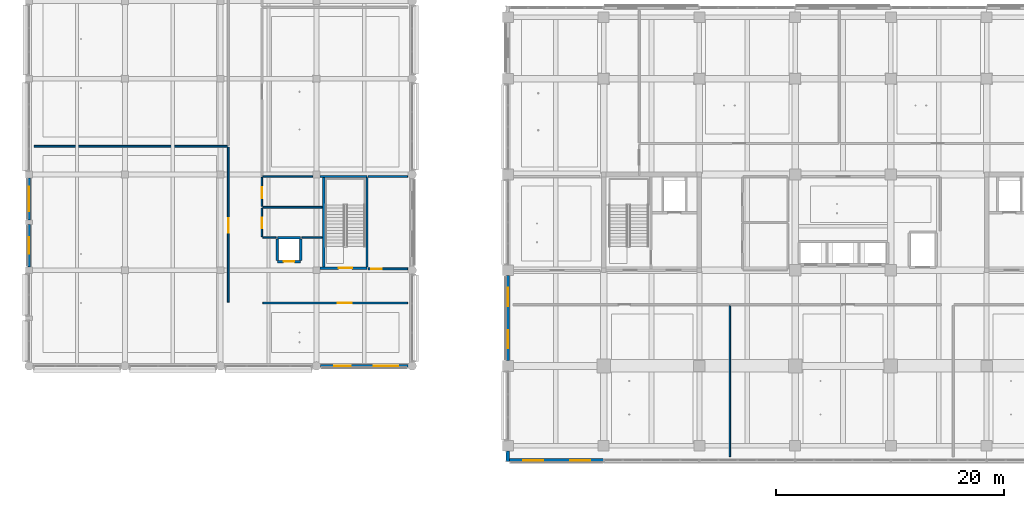
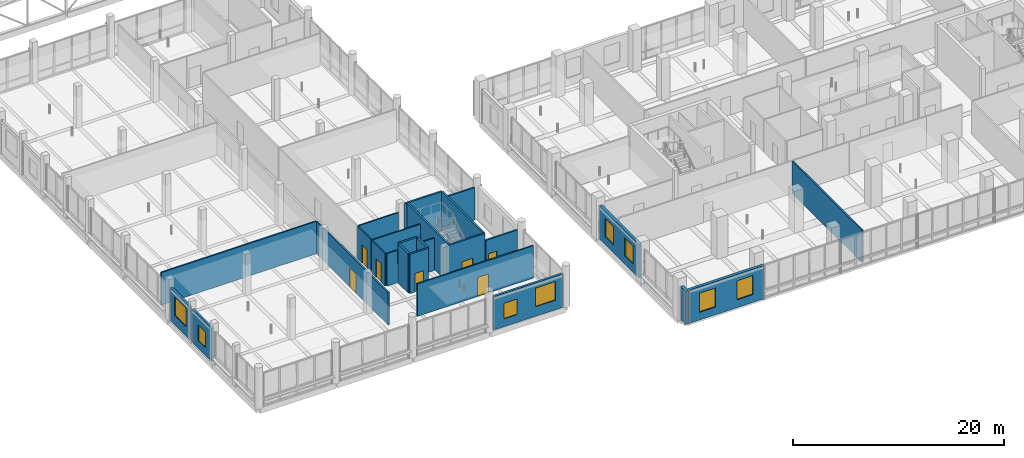
# One storey, part 53 of 122: 26 walls, 8 windows, 7 doors, 15 openings.
"""IFC4 building model written with IfcOpenShell, lengths in metres."""

from ifc_helpers import new_model, si_unit, direction, frame, frame_2d, origin, place, context, subcontext, project, spatial, rectangle, extrude, material, layer, layer_set, type_object, element, fill, save


model = new_model("IFC4")

# Units and contexts
model_context = context("Model", 3, precision=1e-05, world=origin(), true_north=direction((0.0, 1.0)))
body_context = subcontext(model_context, "Body", "Model", "MODEL_VIEW")
ifc_project = project(units=[si_unit("LENGTHUNIT", "METRE"), si_unit("AREAUNIT", "SQUARE_METRE"), si_unit("VOLUMEUNIT", "CUBIC_METRE"), si_unit("PLANEANGLEUNIT", "RADIAN"), si_unit("MASSUNIT", "GRAM", prefix="KILO")], contexts=[model_context])

# Site, building, storey
site_placement = place(None, origin())
site = spatial("IfcSite", under=ifc_project, at=site_placement, CompositionType="ELEMENT")
building_placement = place(site_placement, origin())
building = spatial("IfcBuilding", under=site, at=building_placement, Name="Telukmera Botanical Conservatory", CompositionType="ELEMENT")
storey_placement = place(building_placement, frame((0.0, 0.0, 10.199951171875)))
storey = spatial("IfcBuildingStorey", under=building, at=storey_placement, Name="L02", CompositionType="ELEMENT", Elevation=10.199951171875)

# Wall, openings, windows
ifc_material_1 = material(Name="Precast concrete C40/50", Category="concrete")
ifc_layer_1 = layer(ifc_material_1, 0.239990234375)
ifc_layer_set_1 = layer_set([ifc_layer_1], Name="Precast concrete C40/50")
wall_type_1 = type_object("IfcWallType", Name="Exterior Colonnade Recessed Precast Wall 240", PredefinedType="SOLIDWALL", material=ifc_layer_set_1)
wall_1_placement = place(storey_placement, frame((33.97705078125, 17.60009765625, 0.0), z_axis=(0.0, 0.0, 1.0), x_axis=(1.0, 0.0, 0.0)))
wall_1 = element("IfcWall", 1, at=wall_1_placement, inside=storey, type_object=wall_type_1, Name="Exterior Precast Wall EW05 V3:L02:S4", PredefinedType="SOLIDWALL", context=body_context, shape_type="SweptSolid", body=[
    extrude(rectangle(XDim=7.64599609375, YDim=0.239990234375, at=frame_2d((3.822998046875, 0.0))), origin(), (0.0, 0.0, 1.0), 3.85009765625),
])
opening_1_placement = place(wall_1_placement, frame((1.1865234375, 0.0, 0.89990234375)))
opening_1 = element("IfcOpeningElement", 2, at=opening_1_placement, cuts=wall_1, Name="Opening W09", PredefinedType="OPENING", context=body_context, shape_type="SweptSolid", body=[
    extrude(rectangle(XDim=1.449951171875, YDim=1.800048828125, at=frame_2d((0.72509765625, 0.89990234375))), frame((0.0, 0.1298828125, 0.0), z_axis=(0.0, -1.0, 0.0), x_axis=(1.0, 0.0, 0.0)), (0.0, 0.0, 1.0), 0.260009765625),
])
opening_2_placement = place(wall_1_placement, frame((4.659423828125, 0.0, 1.10009765625)))
opening_2 = element("IfcOpeningElement", 3, at=opening_2_placement, cuts=wall_1, Name="Opening W15", PredefinedType="OPENING", context=body_context, shape_type="SweptSolid", body=[
    extrude(rectangle(XDim=2.14990234375, YDim=2.14990234375, at=frame_2d((1.074951171875, 1.074951171875))), frame((0.0, 0.1298828125, 0.0), z_axis=(0.0, -1.0, 0.0), x_axis=(1.0, 0.0, 0.0)), (0.0, 0.0, 1.0), 0.260009765625),
])
ifc_material_2 = material(Name="Thermally broken anodised aluminium frame with low-E double glazing", Category="aluminium")
window_type_1 = type_object("IfcWindowType", Name="Double Horizontal Transom Studio Window 1450x1800", PartitioningType="DOUBLE_PANEL_HORIZONTAL", PredefinedType="WINDOW", material=ifc_material_2)
window_1_placement = place(opening_1_placement, origin())
window_1 = element("IfcWindow", 4, at=window_1_placement, inside=storey, type_object=window_type_1, Name="Facade Window W09 V3:L02:S4 1", OverallHeight=1.800048828125, OverallWidth=1.449951171875, PartitioningType="DOUBLE_PANEL_HORIZONTAL", PredefinedType="WINDOW", context=body_context, shape_type="SweptSolid", body=[
    extrude(rectangle(XDim=1.449951171875, YDim=1.800048828125, at=frame_2d((0.72509765625, 0.89990234375))), frame((0.0, 0.030029296875, 0.0), z_axis=(0.0, -1.0, 0.0), x_axis=(1.0, 0.0, 0.0)), (0.0, 0.0, 1.0), 0.06005859375),
])
fill(opening_1, window_1)
window_type_2 = type_object("IfcWindowType", Name="Triple Vertical Botanical Gallery Window 2150x2150", PartitioningType="TRIPLE_PANEL_VERTICAL", PredefinedType="WINDOW", material=ifc_material_2)
window_2_placement = place(opening_2_placement, origin())
window_2 = element("IfcWindow", 5, at=window_2_placement, inside=storey, type_object=window_type_2, Name="Facade Window W15 V3:L02:S4 2", OverallHeight=2.14990234375, OverallWidth=2.14990234375, PartitioningType="TRIPLE_PANEL_VERTICAL", PredefinedType="WINDOW", context=body_context, shape_type="SweptSolid", body=[
    extrude(rectangle(XDim=2.14990234375, YDim=2.14990234375, at=frame_2d((1.074951171875, 1.074951171875))), frame((0.0, 0.030029296875, 0.0), z_axis=(0.0, -1.0, 0.0), x_axis=(1.0, 0.0, 0.0)), (0.0, 0.0, 1.0), 0.06005859375),
])
fill(opening_2, window_2)

# Wall
ifc_material_3 = material(Name="Terracotta-faced precast concrete C40/50", Category="masonry")
ifc_layer_2 = layer(ifc_material_3, 0.300048828125)
ifc_layer_set_2 = layer_set([ifc_layer_2], Name="Terracotta-faced precast concrete C40/50")
wall_type_2 = type_object("IfcWallType", Name="Exterior Polychrome Terracotta Precast Wall 300", PredefinedType="SOLIDWALL", material=ifc_layer_set_2)
wall_2_placement = place(storey_placement, frame((50.39990234375, 9.199951171875, 0.0), z_axis=(0.0, 0.0, 1.0), x_axis=(0.0, 1.0, 0.0)))
element("IfcWall", 6, at=wall_2_placement, inside=storey, type_object=wall_type_2, Name="Exterior Precast Wall EW02 V4:L02:SWC", PredefinedType="SOLIDWALL", context=body_context, shape_type="SweptSolid", body=[
    extrude(rectangle(XDim=0.923095703125, YDim=0.300048828125, at=frame_2d((0.46142578125, 0.0))), origin(), (0.0, 0.0, 1.0), 3.85009765625),
])

# Wall, openings, windows
wall_3_placement = place(storey_placement, frame((50.552001953125, 9.320068359375, 0.0), z_axis=(0.0, 0.0, 1.0), x_axis=(1.0, 0.0, 0.0)))
wall_3 = element("IfcWall", 7, at=wall_3_placement, inside=storey, type_object=wall_type_2, Name="Exterior Precast Wall EW02 V4:L02:S1", PredefinedType="SOLIDWALL", context=body_context, shape_type="SweptSolid", body=[
    extrude(rectangle(XDim=8.24609375, YDim=0.300048828125, at=frame_2d((4.123046875, 0.0))), origin(), (0.0, 0.0, 1.0), 3.85009765625),
])
opening_3_placement = place(wall_3_placement, frame((1.1865234375, 0.0, 0.89990234375)))
opening_3 = element("IfcOpeningElement", 8, at=opening_3_placement, cuts=wall_3, Name="Opening W08", PredefinedType="OPENING", context=body_context, shape_type="SweptSolid", body=[
    extrude(rectangle(XDim=1.75, YDim=2.199951171875, at=frame_2d((0.875, 1.10009765625))), frame((0.0, 0.159912109375, 0.0), z_axis=(0.0, -1.0, 0.0), x_axis=(1.0, 0.0, 0.0)), (0.0, 0.0, 1.0), 0.320068359375),
])
opening_4_placement = place(wall_3_placement, frame((5.3095703125, 0.0, 0.89990234375)))
opening_4 = element("IfcOpeningElement", 9, at=opening_4_placement, cuts=wall_3, Name="Opening W08", PredefinedType="OPENING", context=body_context, shape_type="SweptSolid", body=[
    extrude(rectangle(XDim=1.75, YDim=2.199951171875, at=frame_2d((0.875, 1.10009765625))), frame((0.0, 0.159912109375, 0.0), z_axis=(0.0, -1.0, 0.0), x_axis=(1.0, 0.0, 0.0)), (0.0, 0.0, 1.0), 0.320068359375),
])
window_type_3 = type_object("IfcWindowType", Name="Double Vertical Library Reading Window 1750x2200", PartitioningType="DOUBLE_PANEL_VERTICAL", PredefinedType="WINDOW", material=ifc_material_2)
window_3_placement = place(opening_3_placement, origin())
window_3 = element("IfcWindow", 10, at=window_3_placement, inside=storey, type_object=window_type_3, Name="Facade Window W08 V4:L02:S1 1", OverallHeight=2.199951171875, OverallWidth=1.75, PartitioningType="DOUBLE_PANEL_VERTICAL", PredefinedType="WINDOW", context=body_context, shape_type="SweptSolid", body=[
    extrude(rectangle(XDim=1.75, YDim=2.199951171875, at=frame_2d((0.875, 1.10009765625))), frame((0.0, 0.030029296875, 0.0), z_axis=(0.0, -1.0, 0.0), x_axis=(1.0, 0.0, 0.0)), (0.0, 0.0, 1.0), 0.06005859375),
])
fill(opening_3, window_3)
window_4_placement = place(opening_4_placement, origin())
window_4 = element("IfcWindow", 11, at=window_4_placement, inside=storey, type_object=window_type_3, Name="Facade Window W08 V4:L02:S1 2", OverallHeight=2.199951171875, OverallWidth=1.75, PartitioningType="DOUBLE_PANEL_VERTICAL", PredefinedType="WINDOW", context=body_context, shape_type="SweptSolid", body=[
    extrude(rectangle(XDim=1.75, YDim=2.199951171875, at=frame_2d((0.875, 1.10009765625))), frame((0.0, 0.030029296875, 0.0), z_axis=(0.0, -1.0, 0.0), x_axis=(1.0, 0.0, 0.0)), (0.0, 0.0, 1.0), 0.06005859375),
])
fill(opening_4, window_4)

wall_4_placement = place(storey_placement, frame((50.39990234375, 18.076904296875, 0.0), z_axis=(0.0, 0.0, 1.0), x_axis=(0.0, 1.0, 0.0)))
wall_4 = element("IfcWall", 12, at=wall_4_placement, inside=storey, type_object=wall_type_2, Name="Exterior Precast Wall EW02 V4:L02:W2", PredefinedType="SOLIDWALL", context=body_context, shape_type="SweptSolid", body=[
    extrude(rectangle(XDim=7.446044921875, YDim=0.300048828125, at=frame_2d((3.72314453125, 0.0))), origin(), (0.0, 0.0, 1.0), 3.85009765625),
])
opening_5_placement = place(wall_4_placement, frame((1.0615234375, 0.0, 0.89990234375)))
opening_5 = element("IfcOpeningElement", 13, at=opening_5_placement, cuts=wall_4, Name="Opening W07", PredefinedType="OPENING", context=body_context, shape_type="SweptSolid", body=[
    extrude(rectangle(XDim=1.60009765625, YDim=2.10009765625, at=frame_2d((0.800048828125, 1.050048828125))), frame((0.0, 0.159912109375, 0.0), z_axis=(0.0, -1.0, 0.0), x_axis=(1.0, 0.0, 0.0)), (0.0, 0.0, 1.0), 0.320068359375),
])
opening_6_placement = place(wall_4_placement, frame((4.784423828125, 0.0, 0.89990234375)))
opening_6 = element("IfcOpeningElement", 14, at=opening_6_placement, cuts=wall_4, Name="Opening W07", PredefinedType="OPENING", context=body_context, shape_type="SweptSolid", body=[
    extrude(rectangle(XDim=1.60009765625, YDim=2.10009765625, at=frame_2d((0.800048828125, 1.050048828125))), frame((0.0, 0.159912109375, 0.0), z_axis=(0.0, -1.0, 0.0), x_axis=(1.0, 0.0, 0.0)), (0.0, 0.0, 1.0), 0.320068359375),
])
window_type_4 = type_object("IfcWindowType", Name="Double Vertical Curation Study Window 1600x2100", PartitioningType="DOUBLE_PANEL_VERTICAL", PredefinedType="WINDOW", material=ifc_material_2)
window_5_placement = place(opening_5_placement, origin())
window_5 = element("IfcWindow", 15, at=window_5_placement, inside=storey, type_object=window_type_4, Name="Facade Window W07 V4:L02:W2 1", OverallHeight=2.10009765625, OverallWidth=1.60009765625, PartitioningType="DOUBLE_PANEL_VERTICAL", PredefinedType="WINDOW", context=body_context, shape_type="SweptSolid", body=[
    extrude(rectangle(XDim=1.60009765625, YDim=2.10009765625, at=frame_2d((0.800048828125, 1.050048828125))), frame((0.0, 0.030029296875, 0.0), z_axis=(0.0, -1.0, 0.0), x_axis=(1.0, 0.0, 0.0)), (0.0, 0.0, 1.0), 0.06005859375),
])
fill(opening_5, window_5)
window_6_placement = place(opening_6_placement, origin())
window_6 = element("IfcWindow", 16, at=window_6_placement, inside=storey, type_object=window_type_4, Name="Facade Window W07 V4:L02:W2 2", OverallHeight=2.10009765625, OverallWidth=1.60009765625, PartitioningType="DOUBLE_PANEL_VERTICAL", PredefinedType="WINDOW", context=body_context, shape_type="SweptSolid", body=[
    extrude(rectangle(XDim=1.60009765625, YDim=2.10009765625, at=frame_2d((0.800048828125, 1.050048828125))), frame((0.0, 0.030029296875, 0.0), z_axis=(0.0, -1.0, 0.0), x_axis=(1.0, 0.0, 0.0)), (0.0, 0.0, 1.0), 0.06005859375),
])
fill(opening_6, window_6)

# Wall, opening, window
ifc_layer_3 = layer(ifc_material_3, 0.219970703125)
ifc_layer_set_3 = layer_set([ifc_layer_3], Name="Terracotta-faced precast concrete C40/50")
wall_type_3 = type_object("IfcWallType", Name="Exterior Terracotta Rainscreen Cladding Wall 220", PredefinedType="USERDEFINED", material=ifc_layer_set_3)
wall_5_placement = place(storey_placement, frame((8.39990234375, 26.302001953125, 0.0), z_axis=(0.0, 0.0, 1.0), x_axis=(0.0, 1.0, 0.0)))
wall_5 = element("IfcWall", 17, at=wall_5_placement, inside=storey, type_object=wall_type_3, Name="Exterior Precast Wall EW07 V3:L02:W2A", ObjectType="CLADDING", PredefinedType="USERDEFINED", context=body_context, shape_type="SweptSolid", body=[
    extrude(rectangle(XDim=3.696044921875, YDim=0.219970703125, at=frame_2d((1.84814453125, 0.0))), origin(), (0.0, 0.0, 1.0), 3.85009765625),
])
opening_7_placement = place(wall_5_placement, frame((1.123046875, 0.0, 0.89990234375)))
opening_7 = element("IfcOpeningElement", 18, at=opening_7_placement, cuts=wall_5, Name="Opening W09", PredefinedType="OPENING", context=body_context, shape_type="SweptSolid", body=[
    extrude(rectangle(XDim=1.449951171875, YDim=1.800048828125, at=frame_2d((0.72509765625, 0.89990234375))), frame((0.0, 0.119873046875, 0.0), z_axis=(0.0, -1.0, 0.0), x_axis=(1.0, 0.0, 0.0)), (0.0, 0.0, 1.0), 0.239990234375),
])
window_7_placement = place(opening_7_placement, origin())
window_7 = element("IfcWindow", 19, at=window_7_placement, inside=storey, type_object=window_type_1, Name="Facade Window W09 V3:L02:W2A", OverallHeight=1.800048828125, OverallWidth=1.449951171875, PartitioningType="DOUBLE_PANEL_HORIZONTAL", PredefinedType="WINDOW", context=body_context, shape_type="SweptSolid", body=[
    extrude(rectangle(XDim=1.449951171875, YDim=1.800048828125, at=frame_2d((0.72509765625, 0.89990234375))), frame((0.0, 0.030029296875, 0.0), z_axis=(0.0, -1.0, 0.0), x_axis=(1.0, 0.0, 0.0)), (0.0, 0.0, 1.0), 0.06005859375),
])
fill(opening_7, window_7)

wall_6_placement = place(storey_placement, frame((8.39990234375, 30.402099609375, 0.0), z_axis=(0.0, 0.0, 1.0), x_axis=(0.0, 1.0, 0.0)))
wall_6 = element("IfcWall", 20, at=wall_6_placement, inside=storey, type_object=wall_type_3, Name="Exterior Precast Wall EW07 V3:L02:W2B", ObjectType="CLADDING", PredefinedType="USERDEFINED", context=body_context, shape_type="SweptSolid", body=[
    extrude(rectangle(XDim=3.69580078125, YDim=0.219970703125, at=frame_2d((1.847900390625, 0.0))), origin(), (0.0, 0.0, 1.0), 3.85009765625),
])
opening_8_placement = place(wall_6_placement, frame((0.77294921875, 0.0, 1.10009765625)))
opening_8 = element("IfcOpeningElement", 21, at=opening_8_placement, cuts=wall_6, Name="Opening W15", PredefinedType="OPENING", context=body_context, shape_type="SweptSolid", body=[
    extrude(rectangle(XDim=2.14990234375, YDim=2.14990234375, at=frame_2d((1.074951171875, 1.074951171875))), frame((0.0, 0.119873046875, 0.0), z_axis=(0.0, -1.0, 0.0), x_axis=(1.0, 0.0, 0.0)), (0.0, 0.0, 1.0), 0.239990234375),
])
window_8_placement = place(opening_8_placement, origin())
window_8 = element("IfcWindow", 22, at=window_8_placement, inside=storey, type_object=window_type_2, Name="Facade Window W15 V3:L02:W2B", OverallHeight=2.14990234375, OverallWidth=2.14990234375, PartitioningType="TRIPLE_PANEL_VERTICAL", PredefinedType="WINDOW", context=body_context, shape_type="SweptSolid", body=[
    extrude(rectangle(XDim=2.14990234375, YDim=2.14990234375, at=frame_2d((1.074951171875, 1.074951171875))), frame((0.0, 0.030029296875, 0.0), z_axis=(0.0, -1.0, 0.0), x_axis=(1.0, 0.0, 0.0)), (0.0, 0.0, 1.0), 0.06005859375),
])
fill(opening_8, window_8)

# Wall, opening, door
ifc_material_4 = material(Name="Concrete C40/50", Category="concrete")
ifc_layer_4 = layer(ifc_material_4, 0.199951171875)
ifc_layer_set_4 = layer_set([ifc_layer_4], Name="Concrete C40/50")
wall_type_4 = type_object("IfcWallType", Name="WT-CORE-200", PredefinedType="SOLIDWALL", material=ifc_layer_set_4)
wall_7_placement = place(storey_placement, frame((30.179931640625, 26.75, 0.0), z_axis=(0.0, 0.0, 1.0), x_axis=(1.0, 0.0, 0.0)))
wall_7 = element("IfcWall", 23, at=wall_7_placement, inside=storey, type_object=wall_type_4, Name="L02 Lift VL1 Front Wall", PredefinedType="SOLIDWALL", context=body_context, shape_type="SweptSolid", body=[
    extrude(rectangle(XDim=2.0400390625, YDim=0.199951171875, at=frame_2d((1.02001953125, 0.0))), origin(), (0.0, 0.0, 1.0), 4.550048828125),
])
opening_9_placement = place(wall_7_placement, frame((0.544921875, 0.0, 0.0)))
opening_9 = element("IfcOpeningElement", 24, at=opening_9_placement, cuts=wall_7, Name="Opening LD04", PredefinedType="OPENING", context=body_context, shape_type="SweptSolid", body=[
    extrude(rectangle(XDim=0.949951171875, YDim=2.14990234375, at=frame_2d((0.47509765625, 1.074951171875))), frame((0.0, 0.10986328125, 0.0), z_axis=(0.0, -1.0, 0.0), x_axis=(1.0, 0.0, 0.0)), (0.0, 0.0, 1.0), 0.219970703125),
])
ifc_material_5 = material(Name="Anodised aluminium and glass", Category="aluminium")
door_type_1 = type_object("IfcDoorType", Name="DT-LD04", OperationType="SLIDING_TO_LEFT", PredefinedType="DOOR", material=ifc_material_5)
door_1_placement = place(opening_9_placement, frame((0.949951171875, 0.0, 0.0), z_axis=(0.0, 0.0, 1.0), x_axis=(-1.0, 0.0, 0.0)))
door_1 = element("IfcDoor", 25, at=door_1_placement, inside=storey, type_object=door_type_1, Name="L02 Lift Landing Door VL1", OperationType="SLIDING_TO_LEFT", OverallHeight=2.14990234375, OverallWidth=0.949951171875, PredefinedType="DOOR", context=body_context, shape_type="SweptSolid", body=[
    extrude(rectangle(XDim=0.949951171875, YDim=2.14990234375, at=frame_2d((0.47509765625, 1.074951171875))), frame((0.0, 0.02490234375, 0.0), z_axis=(0.0, -1.0, 0.0), x_axis=(1.0, 0.0, 0.0)), (0.0, 0.0, 1.0), 0.050048828125),
])
fill(opening_9, door_1)

# Walls
wall_8_placement = place(storey_placement, frame((30.179931640625, 28.85009765625, 0.0), z_axis=(0.0, 0.0, 1.0), x_axis=(1.0, 0.0, 0.0)))
element("IfcWall", 26, at=wall_8_placement, inside=storey, type_object=wall_type_4, Name="L02 Lift VL1 Rear Wall", PredefinedType="SOLIDWALL", context=body_context, shape_type="SweptSolid", body=[
    extrude(rectangle(XDim=2.0400390625, YDim=0.199951171875, at=frame_2d((1.02001953125, 0.0))), origin(), (0.0, 0.0, 1.0), 4.550048828125),
])
for number, where, z_axis, x_axis, name in (
    (27, (30.179931640625, 26.85009765625, 0.0), (0.0, 0.0, 1.0), (0.0, 1.0, 0.0), "L02 Lift VL1 W Wall"),
    (28, (32.219970703125, 26.85009765625, 0.0), (0.0, 0.0, 1.0), (0.0, 1.0, 0.0), "L02 Lift VL1 E Wall"),
):
    element("IfcWall", number, at=place(storey_placement, frame(where, z_axis=z_axis, x_axis=x_axis)), inside=storey, type_object=wall_type_4, Name=name, PredefinedType="SOLIDWALL", context=body_context, shape_type="SweptSolid", body=[
        extrude(rectangle(XDim=1.89990234375, YDim=0.199951171875, at=frame_2d((0.949951171875, 0.0))), origin(), (0.0, 0.0, 1.0), 4.550048828125),
    ])

# Wall, opening, door
ifc_material_6 = material(Name="Blockwork masonry", Category="masonry")
ifc_layer_5 = layer(ifc_material_6, 0.169921875)
ifc_layer_set_5 = layer_set([ifc_layer_5], Name="Blockwork masonry")
wall_type_5 = type_object("IfcWallType", Name="WT-PLANT-170", PredefinedType="PARTITIONING", material=ifc_layer_set_5)
wall_9_placement = place(storey_placement, frame((38.14990234375, 26.125, 0.0), z_axis=(0.0, 0.0, 1.0), x_axis=(1.0, 0.0, 0.0)))
wall_9 = element("IfcWall", 29, at=wall_9_placement, inside=storey, type_object=wall_type_5, Name="L02 Interior Partition 01", PredefinedType="PARTITIONING", context=body_context, shape_type="SweptSolid", body=[
    extrude(rectangle(XDim=3.445068359375, YDim=0.169921875, at=frame_2d((1.72265625, 0.0))), origin(), (0.0, 0.0, 1.0), 3.75),
])
opening_10_placement = place(wall_9_placement, frame((0.25, 0.0, 0.0)))
opening_10 = element("IfcOpeningElement", 30, at=opening_10_placement, cuts=wall_9, Name="Opening ID16", PredefinedType="OPENING", context=body_context, shape_type="SweptSolid", body=[
    extrude(rectangle(XDim=0.93994140625, YDim=2.10009765625, at=frame_2d((0.469970703125, 1.050048828125))), frame((0.0, 0.094970703125, 0.0), z_axis=(0.0, -1.0, 0.0), x_axis=(1.0, 0.0, 0.0)), (0.0, 0.0, 1.0), 0.18994140625),
])
ifc_material_7 = material(Name="Steel utility store fire door", Category="steel")
door_type_2 = type_object("IfcDoorType", Name="DT-STR-094", OperationType="NOTDEFINED", PredefinedType="DOOR", material=ifc_material_7)
door_2_placement = place(opening_10_placement, origin())
door_2 = element("IfcDoor", 31, at=door_2_placement, inside=storey, type_object=door_type_2, Name="L02 Cleaner Equipment Closet Door", OperationType="SINGLE_SWING_RIGHT", OverallHeight=2.10009765625, OverallWidth=0.93994140625, PredefinedType="DOOR", context=body_context, shape_type="SweptSolid", body=[
    extrude(rectangle(XDim=0.93994140625, YDim=2.10009765625, at=frame_2d((0.469970703125, 1.050048828125))), frame((0.0, 0.02490234375, 0.0), z_axis=(0.0, -1.0, 0.0), x_axis=(1.0, 0.0, 0.0)), (0.0, 0.0, 1.0), 0.050048828125),
])
fill(opening_10, door_2)

# Wall
wall_10_placement = place(storey_placement, frame((38.14990234375, 34.22509765625, 0.0), z_axis=(0.0, 0.0, 1.0), x_axis=(1.0, 0.0, 0.0)))
element("IfcWall", 32, at=wall_10_placement, inside=storey, type_object=wall_type_5, Name="L02 Interior Partition 07", PredefinedType="PARTITIONING", context=body_context, shape_type="SweptSolid", body=[
    extrude(rectangle(XDim=3.445068359375, YDim=0.169921875, at=frame_2d((1.72265625, 0.0))), origin(), (0.0, 0.0, 1.0), 3.75),
])

# Wall, opening, door
ifc_layer_6 = layer(ifc_material_4, 0.18994140625)
ifc_layer_set_6 = layer_set([ifc_layer_6], Name="Concrete C40/50")
wall_type_6 = type_object("IfcWallType", Name="WT-STAIR-190", PredefinedType="SOLIDWALL", material=ifc_layer_set_6)
wall_11_placement = place(storey_placement, frame((33.89990234375, 26.179931640625, 0.0), z_axis=(0.0, 0.0, 1.0), x_axis=(1.0, 0.0, 0.0)))
wall_11 = element("IfcWall", 33, at=wall_11_placement, inside=storey, type_object=wall_type_6, Name="L02 Stair ST3 South Wall", PredefinedType="SOLIDWALL", context=body_context, shape_type="SweptSolid", body=[
    extrude(rectangle(XDim=4.130126953125, YDim=0.18994140625, at=frame_2d((2.06494140625, 0.0))), origin(), (0.0, 0.0, 1.0), 4.550048828125),
])
opening_11_placement = place(wall_11_placement, frame((1.64990234375, 0.0, 0.0)))
opening_11 = element("IfcOpeningElement", 34, at=opening_11_placement, cuts=wall_11, Name="Opening FD60D", PredefinedType="OPENING", context=body_context, shape_type="SweptSolid", body=[
    extrude(rectangle(XDim=1.179931640625, YDim=2.14990234375, at=frame_2d((0.58984375, 1.074951171875))), frame((0.0, 0.10498046875, 0.0), z_axis=(0.0, -1.0, 0.0), x_axis=(1.0, 0.0, 0.0)), (0.0, 0.0, 1.0), 0.2099609375),
])
ifc_material_8 = material(Name="Hardwood fire door", Category="wood")
door_type_3 = type_object("IfcDoorType", Name="DT-FD60-04", OperationType="NOTDEFINED", PredefinedType="DOOR", material=ifc_material_8)
door_3_placement = place(opening_11_placement, origin())
door_3 = element("IfcDoor", 35, at=door_3_placement, inside=storey, type_object=door_type_3, Name="L02 Stair ST3 Escape Door", OperationType="SINGLE_SWING_RIGHT", OverallHeight=2.14990234375, OverallWidth=1.179931640625, PredefinedType="DOOR", context=body_context, shape_type="SweptSolid", body=[
    extrude(rectangle(XDim=1.179931640625, YDim=2.14990234375, at=frame_2d((0.58984375, 1.074951171875))), frame((0.0, 0.02490234375, 0.0), z_axis=(0.0, -1.0, 0.0), x_axis=(1.0, 0.0, 0.0)), (0.0, 0.0, 1.0), 0.050048828125),
])
fill(opening_11, door_3)

# Walls
wall_12_placement = place(storey_placement, frame((33.89990234375, 34.219970703125, 0.0), z_axis=(0.0, 0.0, 1.0), x_axis=(1.0, 0.0, 0.0)))
element("IfcWall", 36, at=wall_12_placement, inside=storey, type_object=wall_type_6, Name="L02 Stair ST3 North Wall", PredefinedType="SOLIDWALL", context=body_context, shape_type="SweptSolid", body=[
    extrude(rectangle(XDim=4.130126953125, YDim=0.18994140625, at=frame_2d((2.06494140625, 0.0))), origin(), (0.0, 0.0, 1.0), 4.550048828125),
])
for number, where, z_axis, x_axis, name in (
    (37, (34.25, 26.280029296875, 0.0), (0.0, 0.0, 1.0), (0.0, 1.0, 0.0), "L02 Stair ST3 W Wall"),
    (38, (38.030029296875, 26.280029296875, 0.0), (0.0, 0.0, 1.0), (0.0, 1.0, 0.0), "L02 Stair ST3 E Wall"),
):
    element("IfcWall", number, at=place(storey_placement, frame(where, z_axis=z_axis, x_axis=x_axis)), inside=storey, type_object=wall_type_6, Name=name, PredefinedType="SOLIDWALL", context=body_context, shape_type="SweptSolid", body=[
        extrude(rectangle(XDim=7.840087890625, YDim=0.18994140625, at=frame_2d((3.919921875, 0.0))), origin(), (0.0, 0.0, 1.0), 4.550048828125),
    ])

# Wall, opening, door
ifc_material_9 = material(Name="Gypsum acoustic stud partition")
ifc_layer_7 = layer(ifc_material_9, 0.14990234375)
ifc_layer_set_7 = layer_set([ifc_layer_7], Name="Gypsum acoustic stud partition")
wall_type_7 = type_object("IfcWallType", Name="WT-STD-150", PredefinedType="PARTITIONING", material=ifc_layer_set_7)
wall_13_placement = place(storey_placement, frame((28.89990234375, 23.125, 0.0), z_axis=(0.0, 0.0, 1.0), x_axis=(1.0, 0.0, 0.0)))
wall_13 = element("IfcWall", 39, at=wall_13_placement, inside=storey, type_object=wall_type_7, Name="L02 Interior Partition 02", PredefinedType="PARTITIONING", context=body_context, shape_type="SweptSolid", body=[
    extrude(rectangle(XDim=12.7001953125, YDim=0.14990234375, at=frame_2d((6.35009765625, 0.0))), origin(), (0.0, 0.0, 1.0), 3.75),
])
opening_12_placement = place(wall_13_placement, frame((6.555908203125, 0.0, 0.0)))
opening_12 = element("IfcOpeningElement", 40, at=opening_12_placement, cuts=wall_13, Name="Opening ID08", PredefinedType="OPENING", context=body_context, shape_type="SweptSolid", body=[
    extrude(rectangle(XDim=1.239990234375, YDim=2.199951171875, at=frame_2d((0.6201171875, 1.10009765625))), frame((0.0, 0.0849609375, 0.0), z_axis=(0.0, -1.0, 0.0), x_axis=(1.0, 0.0, 0.0)), (0.0, 0.0, 1.0), 0.169921875),
])
ifc_material_10 = material(Name="Solid core hardwood classroom door", Category="wood")
door_type_4 = type_object("IfcDoorType", Name="DT-CLS-124", OperationType="NOTDEFINED", PredefinedType="DOOR", material=ifc_material_10)
door_4_placement = place(opening_12_placement, frame((1.239990234375, 0.0, 0.0), z_axis=(0.0, 0.0, 1.0), x_axis=(-1.0, 0.0, 0.0)))
door_4 = element("IfcDoor", 41, at=door_4_placement, inside=storey, type_object=door_type_4, Name="L02 Curriculum Faculty Studio Door", OperationType="SINGLE_SWING_RIGHT", OverallHeight=2.199951171875, OverallWidth=1.239990234375, PredefinedType="DOOR", context=body_context, shape_type="SweptSolid", body=[
    extrude(rectangle(XDim=1.239990234375, YDim=2.199951171875, at=frame_2d((0.6201171875, 1.10009765625))), frame((0.0, 0.02490234375, 0.0), z_axis=(0.0, -1.0, 0.0), x_axis=(1.0, 0.0, 0.0)), (0.0, 0.0, 1.0), 0.050048828125),
])
fill(opening_12, door_4)

wall_14_placement = place(storey_placement, frame((25.875, 23.199951171875, 0.0), z_axis=(0.0, 0.0, 1.0), x_axis=(0.0, 1.0, 0.0)))
wall_14 = element("IfcWall", 42, at=wall_14_placement, inside=storey, type_object=wall_type_7, Name="L02 Interior Partition 08", PredefinedType="PARTITIONING", context=body_context, shape_type="SweptSolid", body=[
    extrude(rectangle(XDim=13.60009765625, YDim=0.14990234375, at=frame_2d((6.800048828125, 0.0))), origin(), (0.0, 0.0, 1.0), 3.75),
])
opening_13_placement = place(wall_14_placement, frame((6.10498046875, 0.0, 0.0)))
opening_13 = element("IfcOpeningElement", 43, at=opening_13_placement, cuts=wall_14, Name="Opening ID08", PredefinedType="OPENING", context=body_context, shape_type="SweptSolid", body=[
    extrude(rectangle(XDim=1.239990234375, YDim=2.199951171875, at=frame_2d((0.6201171875, 1.10009765625))), frame((0.0, 0.0849609375, 0.0), z_axis=(0.0, -1.0, 0.0), x_axis=(1.0, 0.0, 0.0)), (0.0, 0.0, 1.0), 0.169921875),
])
door_5_placement = place(opening_13_placement, origin())
door_5 = element("IfcDoor", 44, at=door_5_placement, inside=storey, type_object=door_type_4, Name="L02 Education Classroom Door", OperationType="SINGLE_SWING_LEFT", OverallHeight=2.199951171875, OverallWidth=1.239990234375, PredefinedType="DOOR", context=body_context, shape_type="SweptSolid", body=[
    extrude(rectangle(XDim=1.239990234375, YDim=2.199951171875, at=frame_2d((0.6201171875, 1.10009765625))), frame((0.0, 0.02490234375, 0.0), z_axis=(0.0, -1.0, 0.0), x_axis=(1.0, 0.0, 0.0)), (0.0, 0.0, 1.0), 0.050048828125),
])
fill(opening_13, door_5)

# Walls
wall_15_placement = place(storey_placement, frame((8.85009765625, 36.875, 0.0), z_axis=(0.0, 0.0, 1.0), x_axis=(1.0, 0.0, 0.0)))
element("IfcWall", 45, at=wall_15_placement, inside=storey, type_object=wall_type_7, Name="L02 Interior Partition 17", PredefinedType="PARTITIONING", context=body_context, shape_type="SweptSolid", body=[
    extrude(rectangle(XDim=16.93994140625, YDim=0.14990234375, at=frame_2d((8.469970703125, 0.0))), origin(), (0.0, 0.0, 1.0), 3.75),
])
wall_16_placement = place(storey_placement, frame((69.875, 9.64990234375, 0.0), z_axis=(0.0, 0.0, 1.0), x_axis=(0.0, 1.0, 0.0)))
element("IfcWall", 46, at=wall_16_placement, inside=storey, type_object=wall_type_7, Name="L02 Interior Partition 38", PredefinedType="PARTITIONING", context=body_context, shape_type="SweptSolid", body=[
    extrude(rectangle(XDim=13.239990234375, YDim=0.14990234375, at=frame_2d((6.6201171875, 0.0))), origin(), (0.0, 0.0, 1.0), 3.75),
])
ifc_material_11 = material(Name="Moisture-resistant blockwork", Category="masonry")
ifc_layer_8 = layer(ifc_material_11, 0.135009765625)
ifc_layer_set_8 = layer_set([ifc_layer_8], Name="Moisture-resistant blockwork")
wall_type_8 = type_object("IfcWallType", Name="WT-WC-135", PredefinedType="PARTITIONING", material=ifc_layer_set_8)
wall_17_placement = place(storey_placement, frame((28.89990234375, 31.52490234375, 0.0), z_axis=(0.0, 0.0, 1.0), x_axis=(1.0, 0.0, 0.0)))
element("IfcWall", 47, at=wall_17_placement, inside=storey, type_object=wall_type_8, Name="L02 Interior Partition 03", PredefinedType="PARTITIONING", context=body_context, shape_type="SweptSolid", body=[
    extrude(rectangle(XDim=5.2001953125, YDim=0.135009765625, at=frame_2d((2.60009765625, 0.0))), origin(), (0.0, 0.0, 1.0), 3.75),
])

# Wall, opening, door
wall_18_placement = place(storey_placement, frame((28.824951171875, 28.949951171875, 0.0), z_axis=(0.0, 0.0, 1.0), x_axis=(0.0, 1.0, 0.0)))
wall_18 = element("IfcWall", 48, at=wall_18_placement, inside=storey, type_object=wall_type_8, Name="L02 Interior Partition 04", PredefinedType="PARTITIONING", context=body_context, shape_type="SweptSolid", body=[
    extrude(rectangle(XDim=2.5, YDim=0.135009765625, at=frame_2d((1.25, 0.0))), origin(), (0.0, 0.0, 1.0), 3.75),
])
opening_14_placement = place(wall_18_placement, frame((0.712890625, 0.0, 0.0)))
opening_14 = element("IfcOpeningElement", 49, at=opening_14_placement, cuts=wall_18, Name="Opening ID17", PredefinedType="OPENING", context=body_context, shape_type="SweptSolid", body=[
    extrude(rectangle(XDim=0.919921875, YDim=2.1201171875, at=frame_2d((0.4599609375, 1.06005859375))), frame((0.0, 0.077392578125, 0.0), z_axis=(0.0, -1.0, 0.0), x_axis=(1.0, 0.0, 0.0)), (0.0, 0.0, 1.0), 0.155029296875),
])
ifc_material_12 = material(Name="Moisture-resistant laminate WC door")
door_type_5 = type_object("IfcDoorType", Name="DT-WC-092", OperationType="NOTDEFINED", PredefinedType="DOOR", material=ifc_material_12)
door_6_placement = place(opening_14_placement, origin())
door_6 = element("IfcDoor", 50, at=door_6_placement, inside=storey, type_object=door_type_5, Name="L02 Public WC Door", OperationType="SINGLE_SWING_RIGHT", OverallHeight=2.1201171875, OverallWidth=0.919921875, PredefinedType="DOOR", context=body_context, shape_type="SweptSolid", body=[
    extrude(rectangle(XDim=0.919921875, YDim=2.1201171875, at=frame_2d((0.4599609375, 1.06005859375))), frame((0.0, 0.02490234375, 0.0), z_axis=(0.0, -1.0, 0.0), x_axis=(1.0, 0.0, 0.0)), (0.0, 0.0, 1.0), 0.050048828125),
])
fill(opening_14, door_6)

wall_19_placement = place(storey_placement, frame((28.824951171875, 31.60009765625, 0.0), z_axis=(0.0, 0.0, 1.0), x_axis=(0.0, 1.0, 0.0)))
wall_19 = element("IfcWall", 51, at=wall_19_placement, inside=storey, type_object=wall_type_8, Name="L02 Interior Partition 05", PredefinedType="PARTITIONING", context=body_context, shape_type="SweptSolid", body=[
    extrude(rectangle(XDim=2.5498046875, YDim=0.135009765625, at=frame_2d((1.27490234375, 0.0))), origin(), (0.0, 0.0, 1.0), 3.75),
])
opening_15_placement = place(wall_19_placement, frame((0.70849609375, 0.0, 0.0)))
opening_15 = element("IfcOpeningElement", 52, at=opening_15_placement, cuts=wall_19, Name="Opening ID15", PredefinedType="OPENING", context=body_context, shape_type="SweptSolid", body=[
    extrude(rectangle(XDim=0.97998046875, YDim=2.14990234375, at=frame_2d((0.489990234375, 1.074951171875))), frame((0.0, 0.077392578125, 0.0), z_axis=(0.0, -1.0, 0.0), x_axis=(1.0, 0.0, 0.0)), (0.0, 0.0, 1.0), 0.155029296875),
])
ifc_material_13 = material(Name="Accessible sanitary laminate door")
door_type_6 = type_object("IfcDoorType", Name="DT-OKU-098", OperationType="NOTDEFINED", PredefinedType="DOOR", material=ifc_material_13)
door_7_placement = place(opening_15_placement, origin())
door_7 = element("IfcDoor", 53, at=door_7_placement, inside=storey, type_object=door_type_6, Name="L02 Accessible WC Door", OperationType="SINGLE_SWING_LEFT", OverallHeight=2.14990234375, OverallWidth=0.97998046875, PredefinedType="DOOR", context=body_context, shape_type="SweptSolid", body=[
    extrude(rectangle(XDim=0.97998046875, YDim=2.14990234375, at=frame_2d((0.489990234375, 1.074951171875))), frame((0.0, 0.02490234375, 0.0), z_axis=(0.0, -1.0, 0.0), x_axis=(1.0, 0.0, 0.0)), (0.0, 0.0, 1.0), 0.050048828125),
])
fill(opening_15, door_7)

# Walls
wall_20_placement = place(storey_placement, frame((28.89990234375, 34.22509765625, 0.0), z_axis=(0.0, 0.0, 1.0), x_axis=(1.0, 0.0, 0.0)))
element("IfcWall", 54, at=wall_20_placement, inside=storey, type_object=wall_type_8, Name="L02 Interior Partition 06", PredefinedType="PARTITIONING", context=body_context, shape_type="SweptSolid", body=[
    extrude(rectangle(XDim=4.3701171875, YDim=0.135009765625, at=frame_2d((2.18505859375, 0.0))), origin(), (0.0, 0.0, 1.0), 3.75),
])
wall_21_placement = place(storey_placement, frame((28.902587890625, 28.882568359375, 0.0), z_axis=(0.0, 0.0, 1.0), x_axis=(1.0, 0.0, 0.0)))
element("IfcWall", 55, at=wall_21_placement, inside=storey, type_object=wall_type_8, Name="L02 WC Enclosure Partition 01", PredefinedType="PARTITIONING", context=body_context, shape_type="SweptSolid", body=[
    extrude(rectangle(XDim=1.177490234375, YDim=0.135009765625, at=frame_2d((0.5888671875, 0.0))), origin(), (0.0, 0.0, 1.0), 3.75),
])
wall_22_placement = place(storey_placement, frame((32.320068359375, 28.882568359375, 0.0), z_axis=(0.0, 0.0, 1.0), x_axis=(1.0, 0.0, 0.0)))
element("IfcWall", 56, at=wall_22_placement, inside=storey, type_object=wall_type_8, Name="L02 WC Enclosure Partition 02", PredefinedType="PARTITIONING", context=body_context, shape_type="SweptSolid", body=[
    extrude(rectangle(XDim=1.780029296875, YDim=0.135009765625, at=frame_2d((0.89013671875, 0.0))), origin(), (0.0, 0.0, 1.0), 3.75),
])

save(model, "model.ifc")
